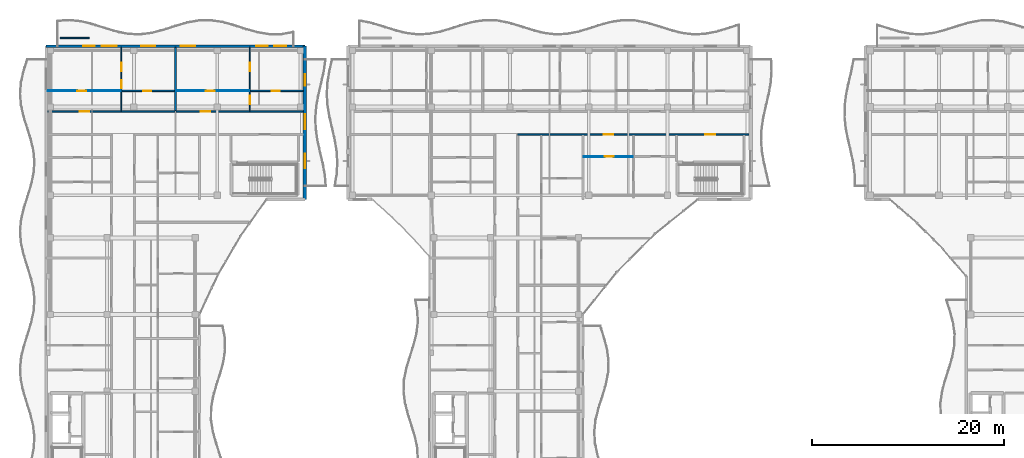
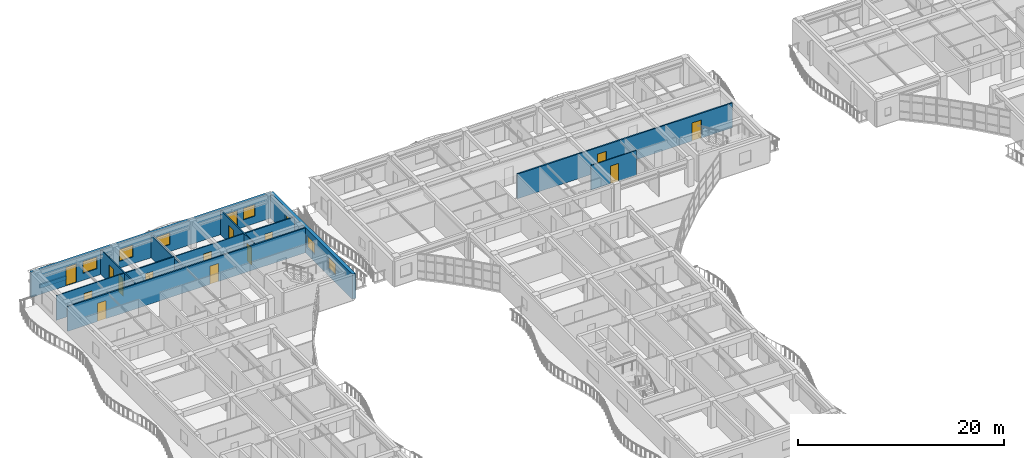
# One storey, part 52 of 89: 16 doors, 13 walls, 6 windows, 22 openings.
"""IFC4 building model written with IfcOpenShell, lengths in metres."""

from ifc_helpers import new_model, si_unit, direction, frame, frame_2d, origin, place, context, subcontext, project, spatial, rectangle, extrude, material, layer, layer_set, type_object, element, fill, save


model = new_model("IFC4")

# Units and contexts
model_context = context("Model", 3, precision=1e-05, world=origin(), true_north=direction((0.0, 1.0)))
body_context = subcontext(model_context, "Body", "Model", "MODEL_VIEW")
ifc_project = project(units=[si_unit("LENGTHUNIT", "METRE"), si_unit("AREAUNIT", "SQUARE_METRE"), si_unit("VOLUMEUNIT", "CUBIC_METRE"), si_unit("PLANEANGLEUNIT", "RADIAN"), si_unit("MASSUNIT", "GRAM", prefix="KILO")], contexts=[model_context])

# Site, building, storey
site_placement = place(None, origin())
site = spatial("IfcSite", under=ifc_project, at=site_placement, CompositionType="ELEMENT")
building_placement = place(site_placement, origin())
building = spatial("IfcBuilding", under=site, at=building_placement, Name="Keldmere Railside Commons", CompositionType="ELEMENT")
storey_placement = place(building_placement, frame((0.0, 0.0, 7.360107421875)))
storey = spatial("IfcBuildingStorey", under=building, at=storey_placement, Name="L02", CompositionType="ELEMENT", Elevation=7.360107421875)

# Wall
ifc_material_1 = material(Name="Acoustic Gypsum Board Partition", Category="gypsum")
ifc_layer_1 = layer(ifc_material_1, 0.179931640625, Name="Acoustic Demising Partition 180")
ifc_layer_set_1 = layer_set([ifc_layer_1], Name="Acoustic Gypsum Board Partition")
wall_type_1 = type_object("IfcWallType", Name="Acoustic Demising Partition 180", PredefinedType="PARTITIONING", material=ifc_layer_set_1)
wall_1_placement = place(storey_placement, frame((21.5, 109.280029296875, 0.0), z_axis=(0.0, 0.0, 1.0), x_axis=(0.0, 1.0, 0.0)))
element("IfcWall", 1, at=wall_1_placement, inside=storey, type_object=wall_type_1, Name="IW-1 IW-L02-0271", PredefinedType="PARTITIONING", context=body_context, shape_type="SweptSolid", body=[
    extrude(rectangle(XDim=6.590087890625, YDim=0.179931640625, at=frame_2d((3.294921875, 0.0))), origin(), (0.0, 0.0, 1.0), 2.669921875),
])

# Wall, openings, doors
ifc_layer_2 = layer(ifc_material_1, 0.1201171875, Name="Apartment Interior Partition 120")
ifc_layer_set_2 = layer_set([ifc_layer_2], Name="Acoustic Gypsum Board Partition")
wall_type_2 = type_object("IfcWallType", Name="Apartment Interior Partition 120", PredefinedType="PARTITIONING", material=ifc_layer_set_2)
wall_2_placement = place(storey_placement, frame((15.85009765625, 109.280029296875, 0.0), z_axis=(0.0, 0.0, 1.0), x_axis=(0.0, 1.0, 0.0)))
wall_2 = element("IfcWall", 2, at=wall_2_placement, inside=storey, type_object=wall_type_2, Name="IW-4 IW-L02-0272", PredefinedType="PARTITIONING", context=body_context, shape_type="SweptSolid", body=[
    extrude(rectangle(XDim=6.590087890625, YDim=0.1201171875, at=frame_2d((3.294921875, 0.0))), origin(), (0.0, 0.0, 1.0), 2.934814453125),
])
opening_1_placement = place(wall_2_placement, frame((2.305908203125, 0.0, 0.0)))
opening_1 = element("IfcOpeningElement", 3, at=opening_1_placement, cuts=wall_2, Name="Opening ID-04", PredefinedType="OPENING", context=body_context, shape_type="SweptSolid", body=[
    extrude(rectangle(XDim=0.860107421875, YDim=2.10009765625, at=frame_2d((0.43017578125, 1.050048828125))), frame((0.0, 0.070068359375, 0.0), z_axis=(0.0, -1.0, 0.0), x_axis=(1.0, 0.0, 0.0)), (0.0, 0.0, 1.0), 0.14013671875),
])
opening_2_placement = place(wall_2_placement, frame((4.093017578125, 0.0, 0.0)))
opening_2 = element("IfcOpeningElement", 4, at=opening_2_placement, cuts=wall_2, Name="Opening ID-01", PredefinedType="OPENING", context=body_context, shape_type="SweptSolid", body=[
    extrude(rectangle(XDim=0.89990234375, YDim=2.10009765625, at=frame_2d((0.449951171875, 1.050048828125))), frame((0.0, 0.070068359375, 0.0), z_axis=(0.0, -1.0, 0.0), x_axis=(1.0, 0.0, 0.0)), (0.0, 0.0, 1.0), 0.14013671875),
])
ifc_material_2 = material(Name="Engineered Oak Timber", Category="wood")
door_type_1 = type_object("IfcDoorType", Name="Apartment Bathroom Door 860x2100", OperationType="NOTDEFINED", PredefinedType="DOOR", material=ifc_material_2)
door_1_placement = place(opening_1_placement, origin())
door_1 = element("IfcDoor", 5, at=door_1_placement, inside=storey, type_object=door_type_1, Name="ID-04 IDR-L02-0180", OperationType="SINGLE_SWING_RIGHT", OverallHeight=2.10009765625, OverallWidth=0.860107421875, PredefinedType="DOOR", context=body_context, shape_type="SweptSolid", body=[
    extrude(rectangle(XDim=0.860107421875, YDim=2.10009765625, at=frame_2d((0.43017578125, 1.050048828125))), frame((0.0, 0.02490234375, 0.0), z_axis=(0.0, -1.0, 0.0), x_axis=(1.0, 0.0, 0.0)), (0.0, 0.0, 1.0), 0.050048828125),
])
fill(opening_1, door_1)
door_type_2 = type_object("IfcDoorType", Name="Primary Bedroom Door 900x2100", OperationType="NOTDEFINED", PredefinedType="DOOR", material=ifc_material_2)
door_2_placement = place(opening_2_placement, origin())
door_2 = element("IfcDoor", 6, at=door_2_placement, inside=storey, type_object=door_type_2, Name="ID-01 IDR-L02-0181", OperationType="SINGLE_SWING_LEFT", OverallHeight=2.10009765625, OverallWidth=0.89990234375, PredefinedType="DOOR", context=body_context, shape_type="SweptSolid", body=[
    extrude(rectangle(XDim=0.89990234375, YDim=2.10009765625, at=frame_2d((0.449951171875, 1.050048828125))), frame((0.0, 0.02490234375, 0.0), z_axis=(0.0, -1.0, 0.0), x_axis=(1.0, 0.0, 0.0)), (0.0, 0.0, 1.0), 0.050048828125),
])
fill(opening_2, door_2)

wall_3_placement = place(storey_placement, frame((29.260009765625, 109.280029296875, 0.0), z_axis=(0.0, 0.0, 1.0), x_axis=(0.0, 1.0, 0.0)))
wall_3 = element("IfcWall", 7, at=wall_3_placement, inside=storey, type_object=wall_type_2, Name="IW-4 IW-L02-0275", PredefinedType="PARTITIONING", context=body_context, shape_type="SweptSolid", body=[
    extrude(rectangle(XDim=6.590087890625, YDim=0.1201171875, at=frame_2d((3.294921875, 0.0))), origin(), (0.0, 0.0, 1.0), 2.934814453125),
])
opening_3_placement = place(wall_3_placement, frame((0.656005859375, 0.0, 0.0)))
opening_3 = element("IfcOpeningElement", 8, at=opening_3_placement, cuts=wall_3, Name="Opening ID-04", PredefinedType="OPENING", context=body_context, shape_type="SweptSolid", body=[
    extrude(rectangle(XDim=0.860107421875, YDim=2.10009765625, at=frame_2d((0.43017578125, 1.050048828125))), frame((0.0, 0.070068359375, 0.0), z_axis=(0.0, -1.0, 0.0), x_axis=(1.0, 0.0, 0.0)), (0.0, 0.0, 1.0), 0.14013671875),
])
opening_4_placement = place(wall_3_placement, frame((4.093017578125, 0.0, 0.0)))
opening_4 = element("IfcOpeningElement", 9, at=opening_4_placement, cuts=wall_3, Name="Opening ID-01", PredefinedType="OPENING", context=body_context, shape_type="SweptSolid", body=[
    extrude(rectangle(XDim=0.89990234375, YDim=2.10009765625, at=frame_2d((0.449951171875, 1.050048828125))), frame((0.0, 0.070068359375, 0.0), z_axis=(0.0, -1.0, 0.0), x_axis=(1.0, 0.0, 0.0)), (0.0, 0.0, 1.0), 0.14013671875),
])
door_3_placement = place(opening_3_placement, origin())
door_3 = element("IfcDoor", 10, at=door_3_placement, inside=storey, type_object=door_type_1, Name="ID-04 IDR-L02-0185", OperationType="SINGLE_SWING_LEFT", OverallHeight=2.10009765625, OverallWidth=0.860107421875, PredefinedType="DOOR", context=body_context, shape_type="SweptSolid", body=[
    extrude(rectangle(XDim=0.860107421875, YDim=2.10009765625, at=frame_2d((0.43017578125, 1.050048828125))), frame((0.0, 0.02490234375, 0.0), z_axis=(0.0, -1.0, 0.0), x_axis=(1.0, 0.0, 0.0)), (0.0, 0.0, 1.0), 0.050048828125),
])
fill(opening_3, door_3)
door_4_placement = place(opening_4_placement, origin())
door_4 = element("IfcDoor", 11, at=door_4_placement, inside=storey, type_object=door_type_2, Name="ID-01 IDR-L02-0186", OperationType="SINGLE_SWING_RIGHT", OverallHeight=2.10009765625, OverallWidth=0.89990234375, PredefinedType="DOOR", context=body_context, shape_type="SweptSolid", body=[
    extrude(rectangle(XDim=0.89990234375, YDim=2.10009765625, at=frame_2d((0.449951171875, 1.050048828125))), frame((0.0, 0.02490234375, 0.0), z_axis=(0.0, -1.0, 0.0), x_axis=(1.0, 0.0, 0.0)), (0.0, 0.0, 1.0), 0.050048828125),
])
fill(opening_4, door_4)

# Wall
ifc_material_3 = material(Name="White Precast Concrete H-35 (C35/45)", Category="concrete")
ifc_layer_3 = layer(ifc_material_3, 0.169921875, Name="Balcony Planter Kerb Wall 170")
ifc_layer_set_3 = layer_set([ifc_layer_3], Name="White Precast Concrete H-35 (C35/45)")
wall_type_3 = type_object("IfcWallType", Name="Balcony Planter Kerb Wall 170", PredefinedType="PARAPET", material=ifc_layer_set_3)
wall_4_placement = place(storey_placement, frame((9.5, 116.85009765625, 0.0), z_axis=(0.0, 0.0, 1.0), x_axis=(1.0, 0.0, 0.0)))
element("IfcWall", 12, at=wall_4_placement, inside=storey, type_object=wall_type_3, Name="PW-2 PKBD-L02-0142", PredefinedType="PARAPET", context=body_context, shape_type="SweptSolid", body=[
    extrude(rectangle(XDim=3.0, YDim=0.169921875, at=frame_2d((1.5, 0.0))), origin(), (0.0, 0.0, 1.0), 0.449951171875),
])

# Wall, opening, door
ifc_layer_4 = layer(ifc_material_1, 0.10009765625, Name="Closet Light Partition 100")
ifc_layer_set_4 = layer_set([ifc_layer_4], Name="Acoustic Gypsum Board Partition")
wall_type_4 = type_object("IfcWallType", Name="Closet Light Partition 100", PredefinedType="PARTITIONING", material=ifc_layer_set_4)
wall_5_placement = place(storey_placement, frame((8.179931640625, 111.330078125, 0.0), z_axis=(0.0, 0.0, 1.0), x_axis=(1.0, 0.0, 0.0)))
wall_5 = element("IfcWall", 13, at=wall_5_placement, inside=storey, type_object=wall_type_4, Name="IW-6 IW-L02-0274", PredefinedType="PARTITIONING", context=body_context, shape_type="SweptSolid", body=[
    extrude(rectangle(XDim=7.610107421875, YDim=0.10009765625, at=frame_2d((3.80517578125, 0.0))), origin(), (0.0, 0.0, 1.0), 2.934814453125),
])
opening_5_placement = place(wall_5_placement, frame((3.068115234375, 0.0, 0.0)))
opening_5 = element("IfcOpeningElement", 14, at=opening_5_placement, cuts=wall_5, Name="Opening ID-03", PredefinedType="OPENING", context=body_context, shape_type="SweptSolid", body=[
    extrude(rectangle(XDim=0.919921875, YDim=2.10009765625, at=frame_2d((0.4599609375, 1.050048828125))), frame((0.0, 0.06005859375, 0.0), z_axis=(0.0, -1.0, 0.0), x_axis=(1.0, 0.0, 0.0)), (0.0, 0.0, 1.0), 0.1201171875),
])
door_type_3 = type_object("IfcDoorType", Name="Kitchen Pocket-Frame Swing Door 920x2100", OperationType="NOTDEFINED", PredefinedType="DOOR", material=ifc_material_2)
door_5_placement = place(opening_5_placement, origin())
door_5 = element("IfcDoor", 15, at=door_5_placement, inside=storey, type_object=door_type_3, Name="ID-03 IDR-L02-0179", OperationType="SINGLE_SWING_LEFT", OverallHeight=2.10009765625, OverallWidth=0.919921875, PredefinedType="DOOR", context=body_context, shape_type="SweptSolid", body=[
    extrude(rectangle(XDim=0.919921875, YDim=2.10009765625, at=frame_2d((0.4599609375, 1.050048828125))), frame((0.0, 0.02490234375, 0.0), z_axis=(0.0, -1.0, 0.0), x_axis=(1.0, 0.0, 0.0)), (0.0, 0.0, 1.0), 0.050048828125),
])
fill(opening_5, door_5)

wall_6_placement = place(storey_placement, frame((21.590087890625, 111.330078125, 0.0), z_axis=(0.0, 0.0, 1.0), x_axis=(1.0, 0.0, 0.0)))
wall_6 = element("IfcWall", 16, at=wall_6_placement, inside=storey, type_object=wall_type_4, Name="IW-6 IW-L02-0277", PredefinedType="PARTITIONING", context=body_context, shape_type="SweptSolid", body=[
    extrude(rectangle(XDim=7.60986328125, YDim=0.10009765625, at=frame_2d((3.804931640625, 0.0))), origin(), (0.0, 0.0, 1.0), 2.934814453125),
])
opening_6_placement = place(wall_6_placement, frame((3.068115234375, 0.0, 0.0)))
opening_6 = element("IfcOpeningElement", 17, at=opening_6_placement, cuts=wall_6, Name="Opening ID-03", PredefinedType="OPENING", context=body_context, shape_type="SweptSolid", body=[
    extrude(rectangle(XDim=0.919921875, YDim=2.10009765625, at=frame_2d((0.4599609375, 1.050048828125))), frame((0.0, 0.06005859375, 0.0), z_axis=(0.0, -1.0, 0.0), x_axis=(1.0, 0.0, 0.0)), (0.0, 0.0, 1.0), 0.1201171875),
])
door_6_placement = place(opening_6_placement, origin())
door_6 = element("IfcDoor", 18, at=door_6_placement, inside=storey, type_object=door_type_3, Name="ID-03 IDR-L02-0184", OperationType="SINGLE_SWING_RIGHT", OverallHeight=2.10009765625, OverallWidth=0.919921875, PredefinedType="DOOR", context=body_context, shape_type="SweptSolid", body=[
    extrude(rectangle(XDim=0.919921875, YDim=2.10009765625, at=frame_2d((0.4599609375, 1.050048828125))), frame((0.0, 0.02490234375, 0.0), z_axis=(0.0, -1.0, 0.0), x_axis=(1.0, 0.0, 0.0)), (0.0, 0.0, 1.0), 0.050048828125),
])
fill(opening_6, door_6)

wall_7_placement = place(storey_placement, frame((64.090087890625, 104.469970703125, 0.0), z_axis=(0.0, 0.0, 1.0), x_axis=(1.0, 0.0, 0.0)))
wall_7 = element("IfcWall", 19, at=wall_7_placement, inside=storey, type_object=wall_type_4, Name="IW-6 IW-L02-0586", PredefinedType="PARTITIONING", context=body_context, shape_type="SweptSolid", body=[
    extrude(rectangle(XDim=5.1298828125, YDim=0.10009765625, at=frame_2d((2.56494140625, 0.0))), origin(), (0.0, 0.0, 1.0), 2.934814453125),
])
opening_7_placement = place(wall_7_placement, frame((2.1796875, 0.0, 0.0)))
opening_7 = element("IfcOpeningElement", 20, at=opening_7_placement, cuts=wall_7, Name="Opening ID-03", PredefinedType="OPENING", context=body_context, shape_type="SweptSolid", body=[
    extrude(rectangle(XDim=0.919921875, YDim=2.10009765625, at=frame_2d((0.4599609375, 1.050048828125))), frame((0.0, 0.06005859375, 0.0), z_axis=(0.0, -1.0, 0.0), x_axis=(1.0, 0.0, 0.0)), (0.0, 0.0, 1.0), 0.1201171875),
])
door_7_placement = place(opening_7_placement, origin())
door_7 = element("IfcDoor", 21, at=door_7_placement, inside=storey, type_object=door_type_3, Name="ID-03 IDR-L02-0479", OperationType="SINGLE_SWING_LEFT", OverallHeight=2.10009765625, OverallWidth=0.919921875, PredefinedType="DOOR", context=body_context, shape_type="SweptSolid", body=[
    extrude(rectangle(XDim=0.919921875, YDim=2.10009765625, at=frame_2d((0.4599609375, 1.050048828125))), frame((0.0, 0.02490234375, 0.0), z_axis=(0.0, -1.0, 0.0), x_axis=(1.0, 0.0, 0.0)), (0.0, 0.0, 1.0), 0.050048828125),
])
fill(opening_7, door_7)

# Wall, openings, doors
ifc_layer_5 = layer(ifc_material_1, 0.159912109375, Name="Corridor Fire Partition 160")
ifc_layer_set_5 = layer_set([ifc_layer_5], Name="Acoustic Gypsum Board Partition")
wall_type_5 = type_object("IfcWallType", Name="Corridor Fire Partition 160", PredefinedType="PARTITIONING", material=ifc_layer_set_5)
wall_8_placement = place(storey_placement, frame((8.179931640625, 109.199951171875, 0.0), z_axis=(0.0, 0.0, 1.0), x_axis=(1.0, 0.0, 0.0)))
wall_8 = element("IfcWall", 22, at=wall_8_placement, inside=storey, type_object=wall_type_5, Name="IW-2 IW-L02-0250", PredefinedType="PARTITIONING", context=body_context, shape_type="SweptSolid", body=[
    extrude(rectangle(XDim=26.64013671875, YDim=0.159912109375, at=frame_2d((13.320068359375, 0.0))), origin(), (0.0, 0.0, 1.0), 2.934814453125),
])
opening_8_placement = place(wall_8_placement, frame((3.344970703125, 0.0, 0.0)))
opening_8 = element("IfcOpeningElement", 23, at=opening_8_placement, cuts=wall_8, Name="Opening FD-7", PredefinedType="OPENING", context=body_context, shape_type="SweptSolid", body=[
    extrude(rectangle(XDim=0.97998046875, YDim=2.14990234375, at=frame_2d((0.489990234375, 1.074951171875))), frame((0.0, 0.08984375, 0.0), z_axis=(0.0, -1.0, 0.0), x_axis=(1.0, 0.0, 0.0)), (0.0, 0.0, 1.0), 0.179931640625),
])
opening_9_placement = place(wall_8_placement, frame((15.955078125, 0.0, 0.0)))
opening_9 = element("IfcOpeningElement", 24, at=opening_9_placement, cuts=wall_8, Name="Opening FD-7", PredefinedType="OPENING", context=body_context, shape_type="SweptSolid", body=[
    extrude(rectangle(XDim=0.97998046875, YDim=2.14990234375, at=frame_2d((0.489990234375, 1.074951171875))), frame((0.0, 0.08984375, 0.0), z_axis=(0.0, -1.0, 0.0), x_axis=(1.0, 0.0, 0.0)), (0.0, 0.0, 1.0), 0.179931640625),
])
door_type_4 = type_object("IfcDoorType", Name="Apartment Entrance Acoustic Fire Door 980x2150", OperationType="NOTDEFINED", PredefinedType="DOOR", material=ifc_material_2)
door_8_placement = place(opening_8_placement, origin())
door_8 = element("IfcDoor", 25, at=door_8_placement, inside=storey, type_object=door_type_4, Name="FD-7 IDR-L02-0178", OperationType="SINGLE_SWING_RIGHT", OverallHeight=2.14990234375, OverallWidth=0.97998046875, PredefinedType="DOOR", context=body_context, shape_type="SweptSolid", body=[
    extrude(rectangle(XDim=0.97998046875, YDim=2.14990234375, at=frame_2d((0.489990234375, 1.074951171875))), frame((0.0, 0.02490234375, 0.0), z_axis=(0.0, -1.0, 0.0), x_axis=(1.0, 0.0, 0.0)), (0.0, 0.0, 1.0), 0.050048828125),
])
fill(opening_8, door_8)
door_9_placement = place(opening_9_placement, origin())
door_9 = element("IfcDoor", 26, at=door_9_placement, inside=storey, type_object=door_type_4, Name="FD-7 IDR-L02-0183", OperationType="SINGLE_SWING_LEFT", OverallHeight=2.14990234375, OverallWidth=0.97998046875, PredefinedType="DOOR", context=body_context, shape_type="SweptSolid", body=[
    extrude(rectangle(XDim=0.97998046875, YDim=2.14990234375, at=frame_2d((0.489990234375, 1.074951171875))), frame((0.0, 0.02490234375, 0.0), z_axis=(0.0, -1.0, 0.0), x_axis=(1.0, 0.0, 0.0)), (0.0, 0.0, 1.0), 0.050048828125),
])
fill(opening_9, door_9)

wall_9_placement = place(storey_placement, frame((57.199951171875, 106.800048828125, 0.0), z_axis=(0.0, 0.0, 1.0), x_axis=(1.0, 0.0, 0.0)))
wall_9 = element("IfcWall", 27, at=wall_9_placement, inside=storey, type_object=wall_type_5, Name="IW-2 IW-L02-0553", PredefinedType="PARTITIONING", context=body_context, shape_type="SweptSolid", body=[
    extrude(rectangle(XDim=24.1201171875, YDim=0.159912109375, at=frame_2d((12.06005859375, 0.0))), origin(), (0.0, 0.0, 1.0), 2.934814453125),
])
opening_10_placement = place(wall_9_placement, frame((19.574951171875, 0.0, 0.0)))
opening_10 = element("IfcOpeningElement", 28, at=opening_10_placement, cuts=wall_9, Name="Opening FD-1", PredefinedType="OPENING", context=body_context, shape_type="SweptSolid", body=[
    extrude(rectangle(XDim=1.050048828125, YDim=2.14990234375, at=frame_2d((0.52490234375, 1.074951171875))), frame((0.0, 0.08984375, 0.0), z_axis=(0.0, -1.0, 0.0), x_axis=(1.0, 0.0, 0.0)), (0.0, 0.0, 1.0), 0.179931640625),
])
opening_11_placement = place(wall_9_placement, frame((8.9951171875, 0.0, 0.0)))
opening_11 = element("IfcOpeningElement", 29, at=opening_11_placement, cuts=wall_9, Name="Opening FD-7", PredefinedType="OPENING", context=body_context, shape_type="SweptSolid", body=[
    extrude(rectangle(XDim=0.97998046875, YDim=2.14990234375, at=frame_2d((0.489990234375, 1.074951171875))), frame((0.0, 0.08984375, 0.0), z_axis=(0.0, -1.0, 0.0), x_axis=(1.0, 0.0, 0.0)), (0.0, 0.0, 1.0), 0.179931640625),
])
door_10_placement = place(opening_11_placement, origin())
door_10 = element("IfcDoor", 30, at=door_10_placement, inside=storey, type_object=door_type_4, Name="FD-7 IDR-L02-0478", OperationType="SINGLE_SWING_RIGHT", OverallHeight=2.14990234375, OverallWidth=0.97998046875, PredefinedType="DOOR", context=body_context, shape_type="SweptSolid", body=[
    extrude(rectangle(XDim=0.97998046875, YDim=2.14990234375, at=frame_2d((0.489990234375, 1.074951171875))), frame((0.0, 0.02490234375, 0.0), z_axis=(0.0, -1.0, 0.0), x_axis=(1.0, 0.0, 0.0)), (0.0, 0.0, 1.0), 0.050048828125),
])
fill(opening_11, door_10)
ifc_material_4 = material(Name="Steel F-24 (S235)", Category="steel")
door_type_5 = type_object("IfcDoorType", Name="Stair Core Fire Door 1050x2150", OperationType="NOTDEFINED", PredefinedType="DOOR", material=ifc_material_4)
door_11_placement = place(opening_10_placement, origin())
door_11 = element("IfcDoor", 31, at=door_11_placement, inside=storey, type_object=door_type_5, Name="FD-1 IDR-L02-0445", OperationType="SINGLE_SWING_LEFT", OverallHeight=2.14990234375, OverallWidth=1.050048828125, PredefinedType="DOOR", context=body_context, shape_type="SweptSolid", body=[
    extrude(rectangle(XDim=1.050048828125, YDim=2.14990234375, at=frame_2d((0.52490234375, 1.074951171875))), frame((0.0, 0.02490234375, 0.0), z_axis=(0.0, -1.0, 0.0), x_axis=(1.0, 0.0, 0.0)), (0.0, 0.0, 1.0), 0.050048828125),
])
fill(opening_10, door_11)

# Wall, openings, door, windows
ifc_material_5 = material(Name="Concrete H-35 (C35/45)", Category="concrete")
ifc_layer_6 = layer(ifc_material_5, 0.360107421875, Name="Exterior Shear Wall 360")
ifc_layer_set_6 = layer_set([ifc_layer_6], Name="Concrete H-35 (C35/45)")
wall_type_6 = type_object("IfcWallType", Name="Exterior Shear Wall 360", PredefinedType="SHEAR", material=ifc_layer_set_6)
wall_10_placement = place(storey_placement, frame((35.0, 116.0, 0.0), z_axis=(0.0, 0.0, 1.0), x_axis=(0.0, -1.0, 0.0)))
wall_10 = element("IfcWall", 32, at=wall_10_placement, inside=storey, type_object=wall_type_6, Name="ESW-1 EXTD-L02-0139", PredefinedType="SHEAR", context=body_context, shape_type="SweptSolid", body=[
    extrude(rectangle(XDim=16.0, YDim=0.360107421875, at=frame_2d((8.0, 0.0))), origin(), (0.0, 0.0, 1.0), 2.97998046875),
])
opening_12_placement = place(wall_10_placement, frame((2.949951171875, 0.0, 0.0)))
opening_12 = element("IfcOpeningElement", 33, at=opening_12_placement, cuts=wall_10, Name="Opening BD-01", PredefinedType="OPENING", context=body_context, shape_type="SweptSolid", body=[
    extrude(rectangle(XDim=1.199951171875, YDim=2.199951171875, at=frame_2d((0.60009765625, 1.10009765625))), frame((0.0, 0.18994140625, 0.0), z_axis=(0.0, -1.0, 0.0), x_axis=(1.0, 0.0, 0.0)), (0.0, 0.0, 1.0), 0.380126953125),
])
opening_13_placement = place(wall_10_placement, frame((7.10009765625, 0.0, 0.820068359375)))
opening_13 = element("IfcOpeningElement", 34, at=opening_13_placement, cuts=wall_10, Name="Opening WN-07", PredefinedType="OPENING", context=body_context, shape_type="SweptSolid", body=[
    extrude(rectangle(XDim=1.550048828125, YDim=1.39990234375, at=frame_2d((0.77490234375, 0.699951171875))), frame((0.0, 0.18994140625, 0.0), z_axis=(0.0, -1.0, 0.0), x_axis=(1.0, 0.0, 0.0)), (0.0, 0.0, 1.0), 0.380126953125),
])
opening_14_placement = place(wall_10_placement, frame((11.25, 0.0, 0.820068359375)))
opening_14 = element("IfcOpeningElement", 35, at=opening_14_placement, cuts=wall_10, Name="Opening WN-06", PredefinedType="OPENING", context=body_context, shape_type="SweptSolid", body=[
    extrude(rectangle(XDim=1.5, YDim=1.39990234375, at=frame_2d((0.75, 0.699951171875))), frame((0.0, 0.18994140625, 0.0), z_axis=(0.0, -1.0, 0.0), x_axis=(1.0, 0.0, 0.0)), (0.0, 0.0, 1.0), 0.380126953125),
])
ifc_material_6 = material(Name="Thermally Broken Aluminium", Category="aluminium")
door_type_6 = type_object("IfcDoorType", Name="Apartment Living Wave-Balcony Glazed Door 1200x2200", OperationType="NOTDEFINED", PredefinedType="DOOR", material=ifc_material_6)
door_12_placement = place(opening_12_placement, origin())
door_12 = element("IfcDoor", 36, at=door_12_placement, inside=storey, type_object=door_type_6, Name="BD-01 DR-L02-0015", OperationType="SINGLE_SWING_LEFT", OverallHeight=2.199951171875, OverallWidth=1.199951171875, PredefinedType="DOOR", context=body_context, shape_type="SweptSolid", body=[
    extrude(rectangle(XDim=1.199951171875, YDim=2.199951171875, at=frame_2d((0.60009765625, 1.10009765625))), frame((0.0, 0.02490234375, 0.0), z_axis=(0.0, -1.0, 0.0), x_axis=(1.0, 0.0, 0.0)), (0.0, 0.0, 1.0), 0.050048828125),
])
fill(opening_12, door_12)
ifc_material_7 = material(Name="Low-E Insulated Double Glazing", Category="glass")
window_type_1 = type_object("IfcWindowType", Name="Primary Bedroom North Window 1500x1400", PartitioningType="SINGLE_PANEL", PredefinedType="WINDOW", material=ifc_material_7)
window_1_placement = place(opening_14_placement, origin())
window_1 = element("IfcWindow", 37, at=window_1_placement, inside=storey, type_object=window_type_1, Name="WN-06 WIN-L02-0054", OverallHeight=1.39990234375, OverallWidth=1.5, PartitioningType="SINGLE_PANEL", PredefinedType="WINDOW", context=body_context, shape_type="SweptSolid", body=[
    extrude(rectangle(XDim=1.5, YDim=1.39990234375, at=frame_2d((0.75, 0.699951171875))), frame((0.0, 0.030029296875, 0.0), z_axis=(0.0, -1.0, 0.0), x_axis=(1.0, 0.0, 0.0)), (0.0, 0.0, 1.0), 0.06005859375),
])
fill(opening_14, window_1)
window_type_2 = type_object("IfcWindowType", Name="Primary Bedroom South Window 1550x1400", PartitioningType="SINGLE_PANEL", PredefinedType="WINDOW", material=ifc_material_7)
window_2_placement = place(opening_13_placement, origin())
window_2 = element("IfcWindow", 38, at=window_2_placement, inside=storey, type_object=window_type_2, Name="WN-07 WIN-L02-0053", OverallHeight=1.39990234375, OverallWidth=1.550048828125, PartitioningType="SINGLE_PANEL", PredefinedType="WINDOW", context=body_context, shape_type="SweptSolid", body=[
    extrude(rectangle(XDim=1.550048828125, YDim=1.39990234375, at=frame_2d((0.77490234375, 0.699951171875))), frame((0.0, 0.030029296875, 0.0), z_axis=(0.0, -1.0, 0.0), x_axis=(1.0, 0.0, 0.0)), (0.0, 0.0, 1.0), 0.06005859375),
])
fill(opening_13, window_2)

# Wall, openings, doors, windows
ifc_material_8 = material(Name="Terracotta Brick Masonry", Category="masonry")
ifc_layer_7 = layer(ifc_material_8, 0.260009765625, Name="Terracotta Cavity Wall 260")
ifc_layer_set_7 = layer_set([ifc_layer_7], Name="Terracotta Brick Masonry")
wall_type_7 = type_object("IfcWallType", Name="Terracotta Cavity Wall 260", PredefinedType="SOLIDWALL", material=ifc_layer_set_7)
wall_11_placement = place(storey_placement, frame((8.0, 116.0, 0.0), z_axis=(0.0, 0.0, 1.0), x_axis=(1.0, 0.0, 0.0)))
wall_11 = element("IfcWall", 39, at=wall_11_placement, inside=storey, type_object=wall_type_7, Name="EW-1 EXTD-L02-0140", PredefinedType="SOLIDWALL", context=body_context, shape_type="SweptSolid", body=[
    extrude(rectangle(XDim=27.0, YDim=0.260009765625, at=frame_2d((13.5, 0.0))), origin(), (0.0, 0.0, 1.0), 2.97998046875),
])
opening_15_placement = place(wall_11_placement, frame((3.89990234375, 0.0, 0.0)))
opening_15 = element("IfcOpeningElement", 40, at=opening_15_placement, cuts=wall_11, Name="Opening BD-01", PredefinedType="OPENING", context=body_context, shape_type="SweptSolid", body=[
    extrude(rectangle(XDim=1.199951171875, YDim=2.199951171875, at=frame_2d((0.60009765625, 1.10009765625))), frame((0.0, 0.139892578125, 0.0), z_axis=(0.0, -1.0, 0.0), x_axis=(1.0, 0.0, 0.0)), (0.0, 0.0, 1.0), 0.280029296875),
])
opening_16_placement = place(wall_11_placement, frame((5.800048828125, 0.0, 0.820068359375)))
opening_16 = element("IfcOpeningElement", 41, at=opening_16_placement, cuts=wall_11, Name="Opening WN-07", PredefinedType="OPENING", context=body_context, shape_type="SweptSolid", body=[
    extrude(rectangle(XDim=1.550048828125, YDim=1.39990234375, at=frame_2d((0.77490234375, 0.699951171875))), frame((0.0, 0.139892578125, 0.0), z_axis=(0.0, -1.0, 0.0), x_axis=(1.0, 0.0, 0.0)), (0.0, 0.0, 1.0), 0.280029296875),
])
opening_17_placement = place(wall_11_placement, frame((14.050048828125, 0.0, 0.820068359375)))
opening_17 = element("IfcOpeningElement", 42, at=opening_17_placement, cuts=wall_11, Name="Opening WN-06", PredefinedType="OPENING", context=body_context, shape_type="SweptSolid", body=[
    extrude(rectangle(XDim=1.5, YDim=1.39990234375, at=frame_2d((0.75, 0.699951171875))), frame((0.0, 0.139892578125, 0.0), z_axis=(0.0, -1.0, 0.0), x_axis=(1.0, 0.0, 0.0)), (0.0, 0.0, 1.0), 0.280029296875),
])
opening_18_placement = place(wall_11_placement, frame((21.89990234375, 0.0, 0.0)))
opening_18 = element("IfcOpeningElement", 43, at=opening_18_placement, cuts=wall_11, Name="Opening BD-01", PredefinedType="OPENING", context=body_context, shape_type="SweptSolid", body=[
    extrude(rectangle(XDim=1.199951171875, YDim=2.199951171875, at=frame_2d((0.60009765625, 1.10009765625))), frame((0.0, 0.139892578125, 0.0), z_axis=(0.0, -1.0, 0.0), x_axis=(1.0, 0.0, 0.0)), (0.0, 0.0, 1.0), 0.280029296875),
])
opening_19_placement = place(wall_11_placement, frame((23.800048828125, 0.0, 0.8701171875)))
opening_19 = element("IfcOpeningElement", 44, at=opening_19_placement, cuts=wall_11, Name="Opening WN-09", PredefinedType="OPENING", context=body_context, shape_type="SweptSolid", body=[
    extrude(rectangle(XDim=1.25, YDim=1.35009765625, at=frame_2d((0.625, 0.675048828125))), frame((0.0, 0.139892578125, 0.0), z_axis=(0.0, -1.0, 0.0), x_axis=(1.0, 0.0, 0.0)), (0.0, 0.0, 1.0), 0.280029296875),
])
opening_20_placement = place(wall_11_placement, frame((9.905029296875, 0.0, 0.820068359375)))
opening_20 = element("IfcOpeningElement", 45, at=opening_20_placement, cuts=wall_11, Name="Opening WN-06", PredefinedType="OPENING", context=body_context, shape_type="SweptSolid", body=[
    extrude(rectangle(XDim=1.5, YDim=1.39990234375, at=frame_2d((0.75, 0.699951171875))), frame((0.0, 0.139892578125, 0.0), z_axis=(0.0, -1.0, 0.0), x_axis=(1.0, 0.0, 0.0)), (0.0, 0.0, 1.0), 0.280029296875),
])
door_13_placement = place(opening_15_placement, origin())
door_13 = element("IfcDoor", 46, at=door_13_placement, inside=storey, type_object=door_type_6, Name="BD-01 DR-L02-0016", OperationType="SINGLE_SWING_RIGHT", OverallHeight=2.199951171875, OverallWidth=1.199951171875, PredefinedType="DOOR", context=body_context, shape_type="SweptSolid", body=[
    extrude(rectangle(XDim=1.199951171875, YDim=2.199951171875, at=frame_2d((0.60009765625, 1.10009765625))), frame((0.0, 0.02490234375, 0.0), z_axis=(0.0, -1.0, 0.0), x_axis=(1.0, 0.0, 0.0)), (0.0, 0.0, 1.0), 0.050048828125),
])
fill(opening_15, door_13)
door_14_placement = place(opening_18_placement, origin())
door_14 = element("IfcDoor", 47, at=door_14_placement, inside=storey, type_object=door_type_6, Name="BD-01 DR-L02-0017", OperationType="SINGLE_SWING_LEFT", OverallHeight=2.199951171875, OverallWidth=1.199951171875, PredefinedType="DOOR", context=body_context, shape_type="SweptSolid", body=[
    extrude(rectangle(XDim=1.199951171875, YDim=2.199951171875, at=frame_2d((0.60009765625, 1.10009765625))), frame((0.0, 0.02490234375, 0.0), z_axis=(0.0, -1.0, 0.0), x_axis=(1.0, 0.0, 0.0)), (0.0, 0.0, 1.0), 0.050048828125),
])
fill(opening_18, door_14)
window_3_placement = place(opening_17_placement, origin())
window_3 = element("IfcWindow", 48, at=window_3_placement, inside=storey, type_object=window_type_1, Name="WN-06 WIN-L02-0056", OverallHeight=1.39990234375, OverallWidth=1.5, PartitioningType="SINGLE_PANEL", PredefinedType="WINDOW", context=body_context, shape_type="SweptSolid", body=[
    extrude(rectangle(XDim=1.5, YDim=1.39990234375, at=frame_2d((0.75, 0.699951171875))), frame((0.0, 0.030029296875, 0.0), z_axis=(0.0, -1.0, 0.0), x_axis=(1.0, 0.0, 0.0)), (0.0, 0.0, 1.0), 0.06005859375),
])
fill(opening_17, window_3)
window_4_placement = place(opening_20_placement, origin())
window_4 = element("IfcWindow", 49, at=window_4_placement, inside=storey, type_object=window_type_1, Name="WN-06 WIN-L02-9013", OverallHeight=1.39990234375, OverallWidth=1.5, PartitioningType="SINGLE_PANEL", PredefinedType="WINDOW", context=body_context, shape_type="SweptSolid", body=[
    extrude(rectangle(XDim=1.5, YDim=1.39990234375, at=frame_2d((0.75, 0.699951171875))), frame((0.0, 0.030029296875, 0.0), z_axis=(0.0, -1.0, 0.0), x_axis=(1.0, 0.0, 0.0)), (0.0, 0.0, 1.0), 0.06005859375),
])
fill(opening_20, window_4)
window_5_placement = place(opening_16_placement, origin())
window_5 = element("IfcWindow", 50, at=window_5_placement, inside=storey, type_object=window_type_2, Name="WN-07 WIN-L02-0055", OverallHeight=1.39990234375, OverallWidth=1.550048828125, PartitioningType="SINGLE_PANEL", PredefinedType="WINDOW", context=body_context, shape_type="SweptSolid", body=[
    extrude(rectangle(XDim=1.550048828125, YDim=1.39990234375, at=frame_2d((0.77490234375, 0.699951171875))), frame((0.0, 0.030029296875, 0.0), z_axis=(0.0, -1.0, 0.0), x_axis=(1.0, 0.0, 0.0)), (0.0, 0.0, 1.0), 0.06005859375),
])
fill(opening_16, window_5)
window_type_3 = type_object("IfcWindowType", Name="Secondary Bedroom Window 1250x1350", PartitioningType="SINGLE_PANEL", PredefinedType="WINDOW", material=ifc_material_7)
window_6_placement = place(opening_19_placement, origin())
window_6 = element("IfcWindow", 51, at=window_6_placement, inside=storey, type_object=window_type_3, Name="WN-09 WIN-L02-0057", OverallHeight=1.35009765625, OverallWidth=1.25, PartitioningType="SINGLE_PANEL", PredefinedType="WINDOW", context=body_context, shape_type="SweptSolid", body=[
    extrude(rectangle(XDim=1.25, YDim=1.35009765625, at=frame_2d((0.625, 0.675048828125))), frame((0.0, 0.030029296875, 0.0), z_axis=(0.0, -1.0, 0.0), x_axis=(1.0, 0.0, 0.0)), (0.0, 0.0, 1.0), 0.06005859375),
])
fill(opening_19, window_6)

# Wall, opening, door
ifc_layer_8 = layer(ifc_material_1, 0.139892578125, Name="Wet-Room Sanitary Partition 140")
ifc_layer_set_8 = layer_set([ifc_layer_8], Name="Acoustic Gypsum Board Partition")
wall_type_8 = type_object("IfcWallType", Name="Wet-Room Sanitary Partition 140", PredefinedType="PARTITIONING", material=ifc_layer_set_8)
wall_12_placement = place(storey_placement, frame((15.909912109375, 111.330078125, 0.0), z_axis=(0.0, 0.0, 1.0), x_axis=(1.0, 0.0, 0.0)))
wall_12 = element("IfcWall", 52, at=wall_12_placement, inside=storey, type_object=wall_type_8, Name="IW-5 IW-L02-0273", PredefinedType="PARTITIONING", context=body_context, shape_type="SweptSolid", body=[
    extrude(rectangle(XDim=5.5, YDim=0.139892578125, at=frame_2d((2.75, 0.0))), origin(), (0.0, 0.0, 1.0), 2.934814453125),
])
opening_21_placement = place(wall_12_placement, frame((2.22412109375, 0.0, 0.0)))
opening_21 = element("IfcOpeningElement", 53, at=opening_21_placement, cuts=wall_12, Name="Opening ID-06", PredefinedType="OPENING", context=body_context, shape_type="SweptSolid", body=[
    extrude(rectangle(XDim=0.85009765625, YDim=2.050048828125, at=frame_2d((0.425048828125, 1.02490234375))), frame((0.0, 0.079833984375, 0.0), z_axis=(0.0, -1.0, 0.0), x_axis=(1.0, 0.0, 0.0)), (0.0, 0.0, 1.0), 0.159912109375),
])
door_type_7 = type_object("IfcDoorType", Name="Storage Closet Door 850x2050", OperationType="NOTDEFINED", PredefinedType="DOOR", material=ifc_material_2)
door_15_placement = place(opening_21_placement, origin())
door_15 = element("IfcDoor", 54, at=door_15_placement, inside=storey, type_object=door_type_7, Name="ID-06 IDR-L02-0182", OperationType="SINGLE_SWING_RIGHT", OverallHeight=2.050048828125, OverallWidth=0.85009765625, PredefinedType="DOOR", context=body_context, shape_type="SweptSolid", body=[
    extrude(rectangle(XDim=0.85009765625, YDim=2.050048828125, at=frame_2d((0.425048828125, 1.02490234375))), frame((0.0, 0.02490234375, 0.0), z_axis=(0.0, -1.0, 0.0), x_axis=(1.0, 0.0, 0.0)), (0.0, 0.0, 1.0), 0.050048828125),
])
fill(opening_21, door_15)

wall_13_placement = place(storey_placement, frame((29.320068359375, 111.330078125, 0.0), z_axis=(0.0, 0.0, 1.0), x_axis=(1.0, 0.0, 0.0)))
wall_13 = element("IfcWall", 55, at=wall_13_placement, inside=storey, type_object=wall_type_8, Name="IW-5 IW-L02-0276", PredefinedType="PARTITIONING", context=body_context, shape_type="SweptSolid", body=[
    extrude(rectangle(XDim=5.5, YDim=0.139892578125, at=frame_2d((2.75, 0.0))), origin(), (0.0, 0.0, 1.0), 2.934814453125),
])
opening_22_placement = place(wall_13_placement, frame((2.22412109375, 0.0, 0.0)))
opening_22 = element("IfcOpeningElement", 56, at=opening_22_placement, cuts=wall_13, Name="Opening ID-06", PredefinedType="OPENING", context=body_context, shape_type="SweptSolid", body=[
    extrude(rectangle(XDim=0.85009765625, YDim=2.050048828125, at=frame_2d((0.425048828125, 1.02490234375))), frame((0.0, 0.079833984375, 0.0), z_axis=(0.0, -1.0, 0.0), x_axis=(1.0, 0.0, 0.0)), (0.0, 0.0, 1.0), 0.159912109375),
])
door_16_placement = place(opening_22_placement, origin())
door_16 = element("IfcDoor", 57, at=door_16_placement, inside=storey, type_object=door_type_7, Name="ID-06 IDR-L02-0187", OperationType="SINGLE_SWING_LEFT", OverallHeight=2.050048828125, OverallWidth=0.85009765625, PredefinedType="DOOR", context=body_context, shape_type="SweptSolid", body=[
    extrude(rectangle(XDim=0.85009765625, YDim=2.050048828125, at=frame_2d((0.425048828125, 1.02490234375))), frame((0.0, 0.02490234375, 0.0), z_axis=(0.0, -1.0, 0.0), x_axis=(1.0, 0.0, 0.0)), (0.0, 0.0, 1.0), 0.050048828125),
])
fill(opening_22, door_16)

save(model, "model.ifc")
